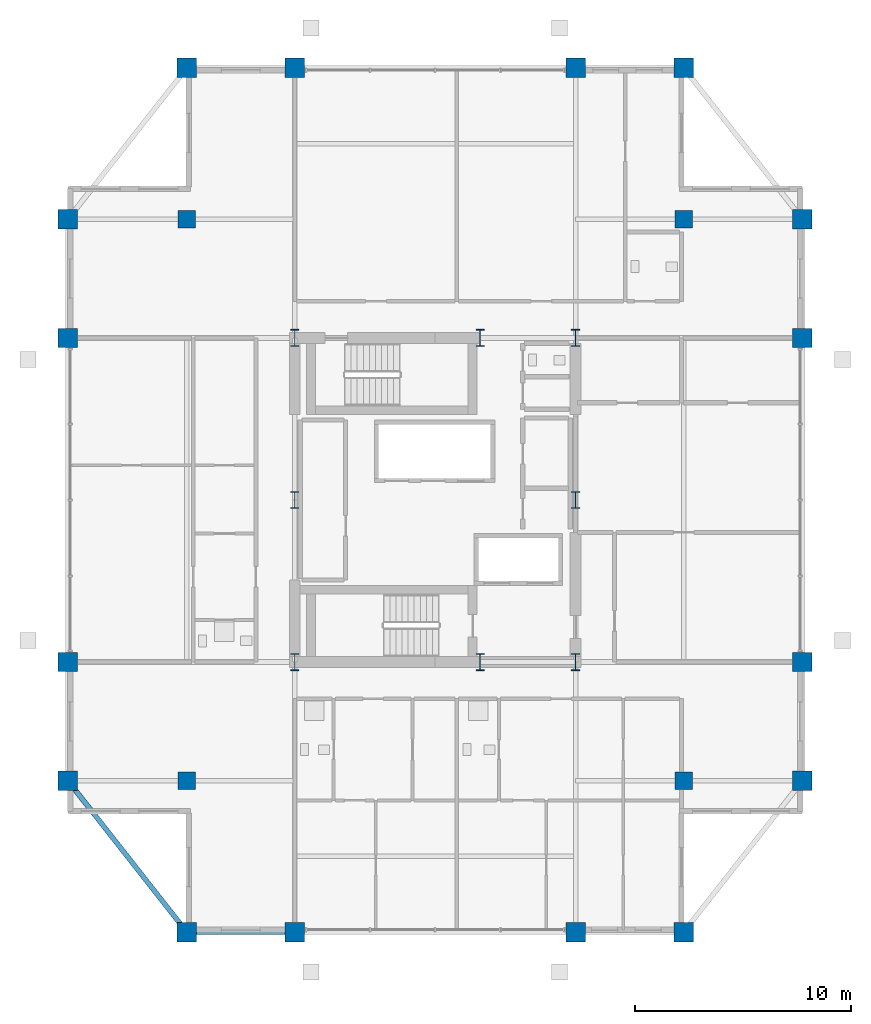
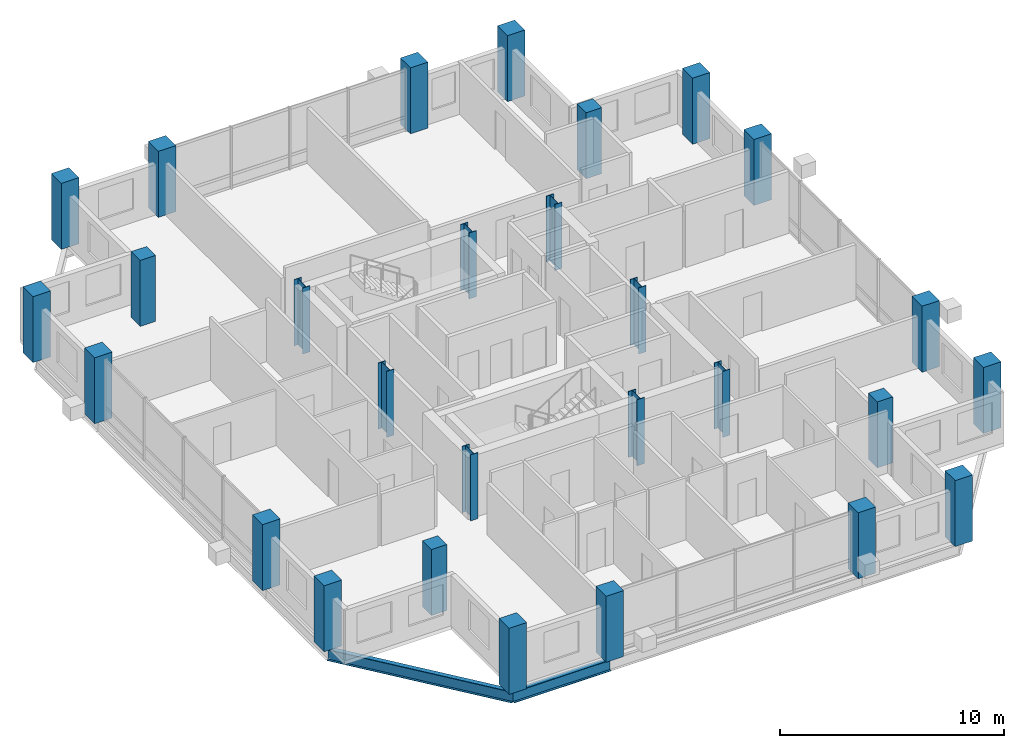
# One storey, part 1 of 21: 28 columns, 2 beams.
"""IFC4 building model written with IfcOpenShell, lengths in metres."""

from ifc_helpers import new_model, si_unit, direction, frame, origin, origin_2d, place, context, subcontext, project, spatial, rectangle, i_section, extrude, material, material_profile, profile_set, type_object, element, save


model = new_model("IFC4")

# Units and contexts
model_context = context("Model", 3, precision=1e-05, world=origin(), true_north=direction((0.0, 1.0)))
body_context = subcontext(model_context, "Body", "Model", "MODEL_VIEW")
ifc_project = project(units=[si_unit("LENGTHUNIT", "METRE"), si_unit("AREAUNIT", "SQUARE_METRE"), si_unit("VOLUMEUNIT", "CUBIC_METRE"), si_unit("PLANEANGLEUNIT", "RADIAN"), si_unit("MASSUNIT", "GRAM", prefix="KILO")], contexts=[model_context])

# Site, building, storey
site_placement = place(None, origin())
site = spatial("IfcSite", under=ifc_project, at=site_placement, CompositionType="ELEMENT")
building_placement = place(site_placement, origin())
building = spatial("IfcBuilding", under=site, at=building_placement, Name="Barlavira Tower and Art Museum", CompositionType="ELEMENT")
storey_placement = place(building_placement, frame((0.0, 0.0, 297.89990234375)))
storey = spatial("IfcBuildingStorey", under=building, at=storey_placement, Name="L78", CompositionType="ELEMENT", Elevation=297.89990234375)

# Columns
ifc_material_1 = material(Name="Steel S355", Category="steel")
ifc_material_profile_1 = material_profile(ifc_material_1, i_section(OverallWidth=0.382080078125, OverallDepth=0.785888671875, WebThickness=0.02001953125, FlangeThickness=0.032958984375, at=origin_2d()), Name="W760x314.0")
ifc_profile_set_1 = profile_set([ifc_material_profile_1], Name="Steel S355")
column_type_1 = type_object("IfcColumnType", Name="Core Composite Column W760x314 Steel S355", PredefinedType="COLUMN", material=ifc_profile_set_1)
for number, where, z_axis, x_axis, name in (
    (1, (-6.5, -7.5, 0.0), (0.0, 0.0, 1.0), (1.0, 0.0, 0.0), "L78 Column CC-L78-C1"),
    (2, (2.080078125, -7.5, 0.0), (0.0, 0.0, 1.0), (1.0, 0.0, 0.0), "L78 Column CC-L78-C2"),
    (3, (6.5, -7.5, 0.0), (0.0, 0.0, 1.0), (1.0, 0.0, 0.0), "L78 Column CC-L78-C3"),
    (4, (-6.5, 0.0, 0.0), (0.0, 0.0, 1.0), (1.0, 0.0, 0.0), "L78 Column CC-L78-C4"),
    (5, (6.5, 0.0, 0.0), (0.0, 0.0, 1.0), (1.0, 0.0, 0.0), "L78 Column CC-L78-C5"),
    (6, (-6.5, 7.5, 0.0), (0.0, 0.0, 1.0), (1.0, 0.0, 0.0), "L78 Column CC-L78-C6"),
    (7, (2.080078125, 7.5, 0.0), (0.0, 0.0, 1.0), (1.0, 0.0, 0.0), "L78 Column CC-L78-C7"),
    (8, (6.5, 7.5, 0.0), (0.0, 0.0, 1.0), (1.0, 0.0, 0.0), "L78 Column CC-L78-C8"),
):
    element("IfcColumn", number, at=place(storey_placement, frame(where, z_axis=z_axis, x_axis=x_axis)), inside=storey, type_object=column_type_1, Name=name, PredefinedType="COLUMN", context=body_context, shape_type="SweptSolid", body=[
        extrude(i_section(OverallWidth=0.382080078125, OverallDepth=0.785888671875, WebThickness=0.02001953125, FlangeThickness=0.032958984375, at=origin_2d()), origin(), (0.0, 0.0, 1.0), 3.60009765625),
    ])
ifc_material_2 = material(Name="Concrete C50", Category="concrete")
ifc_material_profile_2 = material_profile(ifc_material_2, rectangle(XDim=0.89990234375, YDim=0.89990234375, at=origin_2d()), Name="RC-COL 900x900")
ifc_profile_set_2 = profile_set([ifc_material_profile_2], Name="Concrete C50")
column_type_2 = type_object("IfcColumnType", Name="Perimeter Mega Column 900x900 Concrete C50", PredefinedType="USERDEFINED", material=ifc_profile_set_2)
for number, where, z_axis, x_axis, name in (
    (9, (-11.5, -20.0, 0.0), (0.0, 0.0, 1.0), (1.0, 0.0, 0.0), "L78 Column MC-L78-M01"),
    (10, (-6.5, -20.0, 0.0), (0.0, 0.0, 1.0), (1.0, 0.0, 0.0), "L78 Column MC-L78-M02"),
    (11, (6.5, -20.0, 0.0), (0.0, 0.0, 1.0), (1.0, 0.0, 0.0), "L78 Column MC-L78-M03"),
    (12, (11.5, -20.0, 0.0), (0.0, 0.0, 1.0), (1.0, 0.0, 0.0), "L78 Column MC-L78-M04"),
    (13, (17.0, -13.0, 0.0), (0.0, 0.0, 1.0), (1.0, 0.0, 0.0), "L78 Column MC-L78-M05"),
    (14, (17.0, -7.5, 0.0), (0.0, 0.0, 1.0), (1.0, 0.0, 0.0), "L78 Column MC-L78-M06"),
    (15, (17.0, 7.5, 0.0), (0.0, 0.0, 1.0), (1.0, 0.0, 0.0), "L78 Column MC-L78-M07"),
    (16, (17.0, 13.0, 0.0), (0.0, 0.0, 1.0), (1.0, 0.0, 0.0), "L78 Column MC-L78-M08"),
    (17, (11.5, 20.0, 0.0), (0.0, 0.0, 1.0), (1.0, 0.0, 0.0), "L78 Column MC-L78-M09"),
    (18, (6.5, 20.0, 0.0), (0.0, 0.0, 1.0), (1.0, 0.0, 0.0), "L78 Column MC-L78-M10"),
    (19, (-6.5, 20.0, 0.0), (0.0, 0.0, 1.0), (1.0, 0.0, 0.0), "L78 Column MC-L78-M11"),
    (20, (-11.5, 20.0, 0.0), (0.0, 0.0, 1.0), (1.0, 0.0, 0.0), "L78 Column MC-L78-M12"),
    (21, (-17.0, 13.0, 0.0), (0.0, 0.0, 1.0), (1.0, 0.0, 0.0), "L78 Column MC-L78-M13"),
    (22, (-17.0, 7.5, 0.0), (0.0, 0.0, 1.0), (1.0, 0.0, 0.0), "L78 Column MC-L78-M14"),
    (23, (-17.0, -7.5, 0.0), (0.0, 0.0, 1.0), (1.0, 0.0, 0.0), "L78 Column MC-L78-M15"),
    (24, (-17.0, -13.0, 0.0), (0.0, 0.0, 1.0), (1.0, 0.0, 0.0), "L78 Column MC-L78-M16"),
):
    element("IfcColumn", number, at=place(storey_placement, frame(where, z_axis=z_axis, x_axis=x_axis)), inside=storey, type_object=column_type_2, Name=name, ObjectType="MEGA COLUMN", PredefinedType="USERDEFINED", context=body_context, shape_type="SweptSolid", body=[
        extrude(rectangle(XDim=0.89990234375, YDim=0.89990234375, at=origin_2d()), origin(), (0.0, 0.0, 1.0), 3.60009765625),
    ])
ifc_material_profile_3 = material_profile(ifc_material_2, rectangle(XDim=0.800048828125, YDim=0.800048828125, at=origin_2d()), Name="RC-COL 800x800")
ifc_profile_set_3 = profile_set([ifc_material_profile_3], Name="Concrete C50")
column_type_3 = type_object("IfcColumnType", Name="Podium Frame Column 800x800 Concrete C50", PredefinedType="COLUMN", material=ifc_profile_set_3)
for number, where, z_axis, x_axis, name in (
    (25, (-11.5, -13.0, 0.0), (0.0, 0.0, 1.0), (1.0, 0.0, 0.0), "L78 Column CI-L78-I1"),
    (26, (11.5, -13.0, 0.0), (0.0, 0.0, 1.0), (1.0, 0.0, 0.0), "L78 Column CI-L78-I2"),
    (27, (-11.5, 13.0, 0.0), (0.0, 0.0, 1.0), (1.0, 0.0, 0.0), "L78 Column CI-L78-I3"),
    (28, (11.5, 13.0, 0.0), (0.0, 0.0, 1.0), (1.0, 0.0, 0.0), "L78 Column CI-L78-I4"),
):
    element("IfcColumn", number, at=place(storey_placement, frame(where, z_axis=z_axis, x_axis=x_axis)), inside=storey, type_object=column_type_3, Name=name, PredefinedType="COLUMN", context=body_context, shape_type="SweptSolid", body=[
        extrude(rectangle(XDim=0.800048828125, YDim=0.800048828125, at=origin_2d()), origin(), (0.0, 0.0, 1.0), 3.60009765625),
    ])

# Beams
ifc_material_profile_4 = material_profile(ifc_material_1, i_section(OverallWidth=0.22998046875, OverallDepth=0.616943359375, WebThickness=0.01318359375, FlangeThickness=0.022216796875, at=origin_2d()), Name="W610x140.0")
ifc_profile_set_4 = profile_set([ifc_material_profile_4], Name="Steel S355")
beam_type = type_object("IfcBeamType", Name="Upper Shaft Spandrel Edge Beam W610x140 Steel S355", PredefinedType="SPANDREL", material=ifc_profile_set_4)
beam_1_placement = place(storey_placement, frame((-11.5, -20.0, -0.5283203125), z_axis=(1.0, 0.0, 0.0), x_axis=(0.0, 1.0, 0.0)))
element("IfcBeam", 29, at=beam_1_placement, inside=storey, type_object=beam_type, Name="L78 Spandrel 1", PredefinedType="SPANDREL", context=body_context, shape_type="SweptSolid", body=[
    extrude(i_section(OverallWidth=0.22998046875, OverallDepth=0.616943359375, WebThickness=0.01318359375, FlangeThickness=0.022216796875, at=origin_2d()), origin(), (0.0, 0.0, 1.0), 5.0),
])
beam_2_placement = place(storey_placement, frame((-17.0, -13.0, -0.5283203125), z_axis=(0.617821551932, -0.786318338822, 0.0), x_axis=(0.786318338822, 0.617821551932, 0.0)))
element("IfcBeam", 30, at=beam_2_placement, inside=storey, type_object=beam_type, Name="L78 Spandrel 16", PredefinedType="SPANDREL", context=body_context, shape_type="SweptSolid", body=[
    extrude(i_section(OverallWidth=0.22998046875, OverallDepth=0.616943359375, WebThickness=0.01318359375, FlangeThickness=0.022216796875, at=origin_2d()), origin(), (0.0, 0.0, 1.0), 8.90234375),
])

save(model, "model.ifc")
